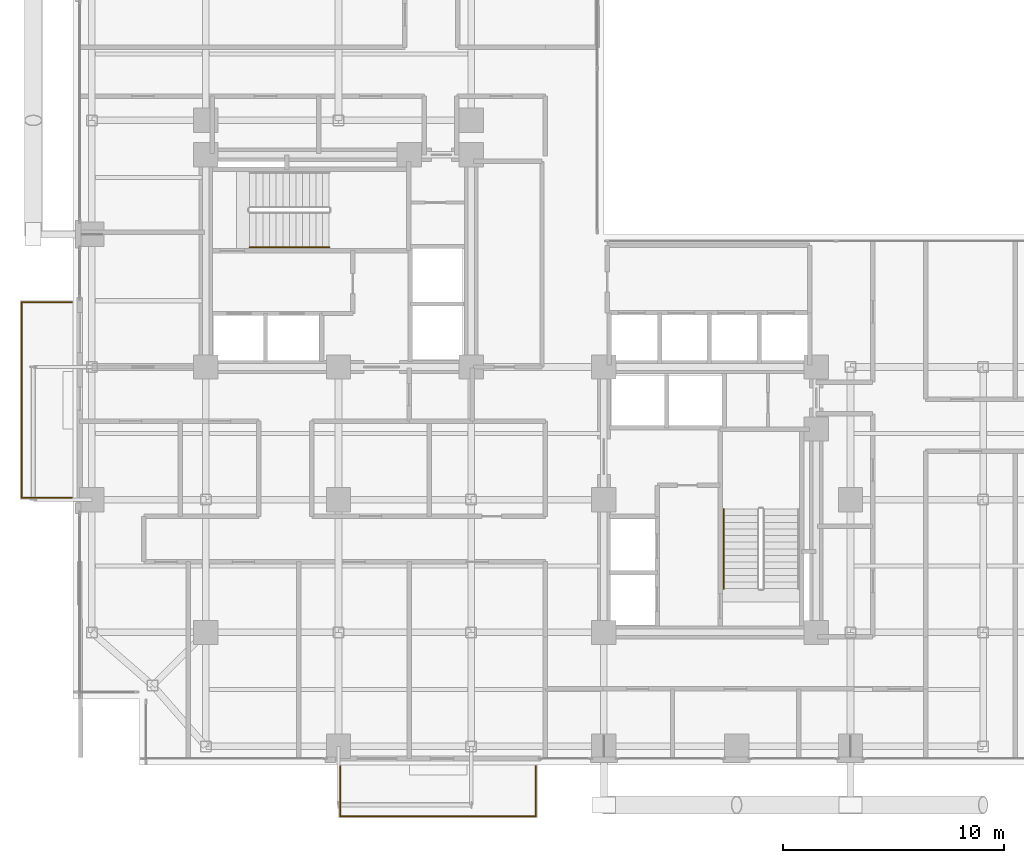
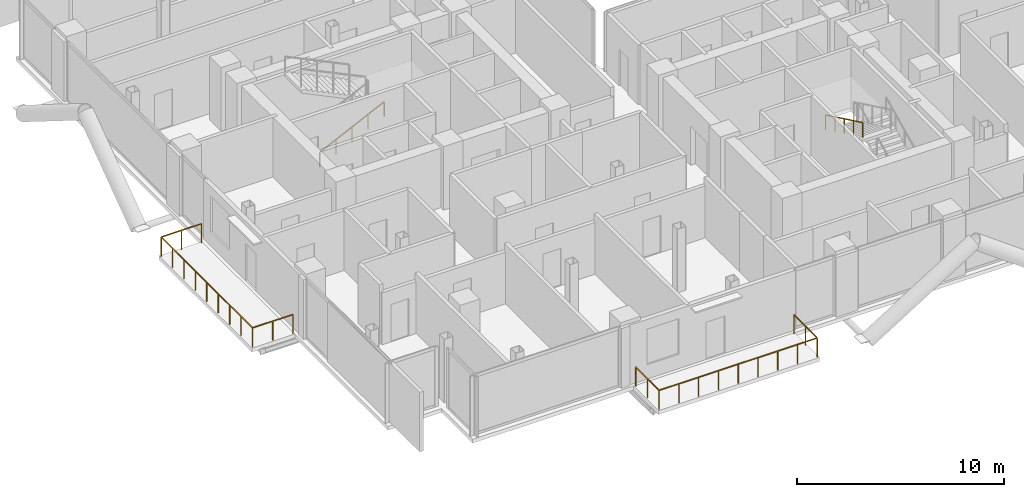
# One storey, part 23 of 24: 4 railings.
"""IFC4 building model written with IfcOpenShell, lengths in metres."""

import ifcopenshell
import ifcopenshell.guid

model = None  # the IFC model being written
_history = None  # IfcOwnerHistory: only IFC2X3 demands one
_inside = {}  # id of a spatial element -> (the spatial element, [elements in it])
_under = {}  # id of a project, library or spatial element -> (it, [spatial elements below it])
_declared = {}  # id of a project -> (the project, [libraries it declares])
_typed = {}  # id of a type object -> (the type object, [elements of that type])
_made_of = {}  # id of a material, layer set ... -> (it, [elements and type objects made of it])


def new_model(schema):
    """Start an empty IFC model of exactly this schema.

    Asked for "IFC4X3", IfcOpenShell would pick the latest addendum, in which some entities
    have other attributes; the version numbers below select the first issue.
    IFC2X3 requires an IfcOwnerHistory on every rooted entity: one is made here for all.
    """
    global model, _history
    if schema == "IFC4X3":
        model = ifcopenshell.file(schema_version=(4, 3, 0, 0))
    else:
        model = ifcopenshell.file(schema=schema)
    _inside.clear()
    _under.clear()
    _declared.clear()
    _typed.clear()
    _made_of.clear()
    _history = None
    if model.schema == "IFC2X3":
        org = make("IfcOrganization", Name="unknown")
        user = make(
            "IfcPersonAndOrganization",
            ThePerson=make("IfcPerson", FamilyName="unknown"),
            TheOrganization=org,
        )
        app = make(
            "IfcApplication",
            ApplicationDeveloper=org,
            Version="unknown",
            ApplicationFullName="unknown",
            ApplicationIdentifier="unknown",
        )
        _history = make(
            "IfcOwnerHistory",
            OwningUser=user,
            OwningApplication=app,
            ChangeAction="ADDED",
            CreationDate=0,
        )
    return model


def make(cls, **values):
    """One entity of the class cls with the attributes given. An attribute that is None is left unset."""
    return model.create_entity(
        cls, **{name: value for name, value in values.items() if value is not None}
    )


def rooted(cls, **values):
    """An entity with a GlobalId (a new one), such as an element, a storey or a relation."""
    return make(cls, GlobalId=ifcopenshell.guid.new(), OwnerHistory=_history, **values)


def si_unit(unit_type, name, prefix=None):
    """IfcSIUnit, for example si_unit("LENGTHUNIT", "METRE", prefix="MILLI")."""
    return make("IfcSIUnit", UnitType=unit_type, Prefix=prefix, Name=name)


def assignment(units):
    """IfcUnitAssignment: the units of a project."""
    return None if units is None else make("IfcUnitAssignment", Units=units)


def point(xyz):
    """IfcCartesianPoint."""
    return None if xyz is None else make("IfcCartesianPoint", Coordinates=xyz)


def direction(xyz):
    """IfcDirection."""
    return None if xyz is None else make("IfcDirection", DirectionRatios=xyz)


def frame(location, z_axis=None, x_axis=None):
    """IfcAxis2Placement3D, a coordinate frame: its origin and axes. An axis left out is left unset."""
    return make(
        "IfcAxis2Placement3D",
        Location=point(location),
        Axis=direction(z_axis),
        RefDirection=direction(x_axis),
    )


def frame_2d(location, x_axis=None):
    """IfcAxis2Placement2D, a coordinate frame in the plane: its origin and x axis."""
    return make(
        "IfcAxis2Placement2D", Location=point(location), RefDirection=direction(x_axis)
    )


def origin():
    """The frame at (0, 0, 0) with its axes left unset."""
    return frame((0.0, 0.0, 0.0))


def origin_2d():
    """The frame at (0, 0) in the plane with its x axis left unset."""
    return frame_2d((0.0, 0.0))


def place(relative_to, where):
    """IfcLocalPlacement: puts the frame where relative to a parent placement (None: the world)."""
    return make(
        "IfcLocalPlacement", PlacementRelTo=relative_to, RelativePlacement=where
    )


def context(
    kind, dimensions, precision=None, world=None, true_north=None, identifier=None
):
    """IfcGeometricRepresentationContext, for example the 3D "Model" context."""
    return make(
        "IfcGeometricRepresentationContext",
        ContextIdentifier=identifier,
        ContextType=kind,
        CoordinateSpaceDimension=dimensions,
        Precision=precision,
        WorldCoordinateSystem=world,
        TrueNorth=true_north,
    )


def subcontext(parent, identifier, kind, view, scale=None):
    """IfcGeometricRepresentationSubContext, for example "Body" below "Model"."""
    return make(
        "IfcGeometricRepresentationSubContext",
        ContextIdentifier=identifier,
        ContextType=kind,
        ParentContext=parent,
        TargetScale=scale,
        TargetView=view,
    )


def project(units=None, contexts=None):
    """IfcProject with its units and contexts."""
    return rooted(
        "IfcProject",
        Name="project",
        RepresentationContexts=contexts,
        UnitsInContext=assignment(units),
    )


def spatial(cls, under=None, at=None, **own):
    """A site, building, storey or space (cls), placed at a placement, below another one or the project."""
    s = rooted(cls, ObjectPlacement=at, **own)
    if under is not None:
        _under.setdefault(under.id(), (under, []))[1].append(s)
    return s


def profile(cls, at=None, kind="AREA", **sizes):
    """A parametric profile (cls). Its sizes go by their IFC names, for example OverallWidth=200.0."""
    return make(cls, ProfileType=kind, Position=at, **sizes)


def rectangle(**sizes):
    """IfcRectangleProfileDef."""
    return profile("IfcRectangleProfileDef", **sizes)


def extrude(swept, where, along, depth):
    """IfcExtrudedAreaSolid: the profile swept, set in the frame where, extruded along a direction by depth."""
    return make(
        "IfcExtrudedAreaSolid",
        SweptArea=swept,
        Position=where,
        ExtrudedDirection=direction(along),
        Depth=depth,
    )


def shape(context_of_items, identifier, shape_type, items):
    """IfcShapeRepresentation: the items that make up one representation, for example the "Body"."""
    return make(
        "IfcShapeRepresentation",
        ContextOfItems=context_of_items,
        RepresentationIdentifier=identifier,
        RepresentationType=shape_type,
        Items=items,
    )


def material(Name=None, Category=None):
    """IfcMaterial."""
    return make("IfcMaterial", Name=Name, Category=Category)


def made_of(thing, what):
    """Note that an element or type object is made of a material, layer set ...; save() writes the relation."""
    if what is not None:
        _made_of.setdefault(what.id(), (what, []))[1].append(thing)
    return thing


def type_object(cls, material=None, **own):
    """A type object (cls), such as IfcWallType, which elements share."""
    return made_of(rooted(cls, **own), material)


def element(
    cls,
    number,
    at=None,
    inside=None,
    cuts=None,
    type_object=None,
    material=None,
    context=None,
    identifier="Body",
    shape_type=None,
    held_by="IfcProductDefinitionShape",
    body=None,
    shapes=None,
    **own,
):
    """One element of the class cls, such as IfcWall. Its Tag is "e" and its number.

    at: its placement. inside: the storey or other place that contains it. cuts: it is an
    opening in that element (IfcRelVoidsElement). A single representation is given by context,
    identifier, shape_type and body (its items); several are given by shapes. held_by: the class
    of the entity that holds the representations. save() writes the other relations.
    """
    e = rooted(cls, Tag="e%d" % number, ObjectPlacement=at, **own)
    if body is not None:
        shapes = [shape(context, identifier, shape_type, body)]
    if shapes is not None:
        e.Representation = make(held_by, Representations=shapes)
    if inside is not None:
        _inside.setdefault(inside.id(), (inside, []))[1].append(e)
    if cuts is not None:
        rooted(
            "IfcRelVoidsElement", RelatingBuildingElement=cuts, RelatedOpeningElement=e
        )
    if type_object is not None:
        _typed.setdefault(type_object.id(), (type_object, []))[1].append(e)
    return made_of(e, material)


def aggregate(whole, parts):
    """IfcRelAggregates: a whole, such as a stair, and the parts it consists of."""
    return rooted("IfcRelAggregates", RelatingObject=whole, RelatedObjects=parts)


def save(model, path):
    """Write the relations noted so far, then the file.

    IfcRelAggregates (storeys below a building ...), IfcRelContainedInSpatialStructure (elements
    in a storey), IfcRelDefinesByType, IfcRelAssociatesMaterial and IfcRelDeclares: one each for
    every whole, place, type object, material and project.
    """
    for whole, parts in _under.values():
        aggregate(whole, parts)
    for where, things in _inside.values():
        rooted(
            "IfcRelContainedInSpatialStructure",
            RelatedElements=things,
            RelatingStructure=where,
        )
    for kind, things in _typed.values():
        rooted("IfcRelDefinesByType", RelatedObjects=things, RelatingType=kind)
    for what, things in _made_of.values():
        rooted("IfcRelAssociatesMaterial", RelatedObjects=things, RelatingMaterial=what)
    for by, libraries in _declared.values():
        rooted("IfcRelDeclares", RelatingContext=by, RelatedDefinitions=libraries)
    model.write(path)


model = new_model("IFC4")

# Units and contexts
model_context = context("Model", 3, precision=1e-05, world=origin(), true_north=direction((0.0, 1.0)))
body_context = subcontext(model_context, "Body", "Model", "MODEL_VIEW")
ifc_project = project(units=[si_unit("LENGTHUNIT", "METRE"), si_unit("AREAUNIT", "SQUARE_METRE"), si_unit("VOLUMEUNIT", "CUBIC_METRE"), si_unit("PLANEANGLEUNIT", "RADIAN"), si_unit("MASSUNIT", "GRAM", prefix="KILO"), si_unit("THERMODYNAMICTEMPERATUREUNIT", "KELVIN"), si_unit("POWERUNIT", "WATT")], contexts=[model_context])

# Site, building, storey
site_placement = place(None, origin())
site = spatial("IfcSite", under=ifc_project, at=site_placement, CompositionType="ELEMENT")
building_placement = place(site_placement, origin())
building = spatial("IfcBuilding", under=site, at=building_placement, Name="Svarakhadi Broadcast Tower", CompositionType="ELEMENT")
storey_placement = place(building_placement, frame((0.0, 0.0, 115.64990234375)))
storey = spatial("IfcBuildingStorey", under=building, at=storey_placement, Name="L27", CompositionType="ELEMENT", Elevation=115.64990234375)

# Railings
ifc_material_1 = material(Name="Laminated Structural SentryGlas Balustrade 25.5 mm", Category="glass")
railing_type_1 = type_object("IfcRailingType", Name="Guard_Balcony_GR01", PredefinedType="BALUSTRADE", material=ifc_material_1)
railing_1_placement = place(storey_placement, frame((12.080078125, -0.06005859375, 0.0)))
element("IfcRailing", 1, at=railing_1_placement, inside=storey, type_object=railing_type_1, Name="L27 South Tree Balcony Guard GR-05", PredefinedType="BALUSTRADE", context=body_context, shape_type="SweptSolid", body=[
    extrude(rectangle(XDim=0.048095703125, YDim=0.048095703125, at=origin_2d()), frame((0.0, 0.0, 1.1259765625), z_axis=(0.0, -1.0, 0.0), x_axis=(1.0, 0.0, 0.0)), (0.0, 0.0, 1.0), 2.260009765625),
    extrude(rectangle(XDim=0.048095703125, YDim=0.048095703125, at=origin_2d()), frame((0.0, -2.260009765625, 1.1259765625), z_axis=(1.0, 0.0, 0.0), x_axis=(0.0, 1.0, 0.0)), (0.0, 0.0, 1.0), 8.83984375),
    extrude(rectangle(XDim=0.048095703125, YDim=0.048095703125, at=origin_2d()), frame((8.83984375, -2.260009765625, 1.1259765625), z_axis=(0.0, 1.0, 0.0), x_axis=(-1.0, 0.0, 0.0)), (0.0, 0.0, 1.0), 2.260009765625),
    extrude(rectangle(XDim=0.0419921875, YDim=0.0419921875, at=origin_2d()), origin(), (0.0, 0.0, 1.0), 1.101806640625),
    extrude(rectangle(XDim=0.0419921875, YDim=0.0419921875, at=origin_2d()), frame((0.0, -1.1298828125, 0.0)), (0.0, 0.0, 1.0), 1.101806640625),
    extrude(rectangle(XDim=0.0419921875, YDim=0.0419921875, at=origin_2d()), frame((0.0, -2.260009765625, 0.0)), (0.0, 0.0, 1.0), 1.101806640625),
    extrude(rectangle(XDim=0.0419921875, YDim=0.0419921875, at=origin_2d()), frame((1.10498046875, -2.260009765625, 0.0)), (0.0, 0.0, 1.0), 1.101806640625),
    extrude(rectangle(XDim=0.0419921875, YDim=0.0419921875, at=origin_2d()), frame((2.2099609375, -2.260009765625, 0.0)), (0.0, 0.0, 1.0), 1.101806640625),
    extrude(rectangle(XDim=0.0419921875, YDim=0.0419921875, at=origin_2d()), frame((3.31494140625, -2.260009765625, 0.0)), (0.0, 0.0, 1.0), 1.101806640625),
    extrude(rectangle(XDim=0.0419921875, YDim=0.0419921875, at=origin_2d()), frame((4.419921875, -2.260009765625, 0.0)), (0.0, 0.0, 1.0), 1.101806640625),
    extrude(rectangle(XDim=0.0419921875, YDim=0.0419921875, at=origin_2d()), frame((5.52490234375, -2.260009765625, 0.0)), (0.0, 0.0, 1.0), 1.101806640625),
    extrude(rectangle(XDim=0.0419921875, YDim=0.0419921875, at=origin_2d()), frame((6.6298828125, -2.260009765625, 0.0)), (0.0, 0.0, 1.0), 1.101806640625),
    extrude(rectangle(XDim=0.0419921875, YDim=0.0419921875, at=origin_2d()), frame((7.73486328125, -2.260009765625, 0.0)), (0.0, 0.0, 1.0), 1.101806640625),
    extrude(rectangle(XDim=0.0419921875, YDim=0.0419921875, at=origin_2d()), frame((8.83984375, -2.260009765625, 0.0)), (0.0, 0.0, 1.0), 1.101806640625),
    extrude(rectangle(XDim=0.0419921875, YDim=0.0419921875, at=origin_2d()), frame((8.83984375, -1.1298828125, 0.0)), (0.0, 0.0, 1.0), 1.101806640625),
    extrude(rectangle(XDim=0.0419921875, YDim=0.0419921875, at=origin_2d()), frame((8.83984375, 0.0, 0.0)), (0.0, 0.0, 1.0), 1.101806640625),
])
railing_2_placement = place(storey_placement, frame((-0.06005859375, 12.080078125, 0.0)))
element("IfcRailing", 2, at=railing_2_placement, inside=storey, type_object=railing_type_1, Name="L27 West Tree Balcony Guard GR-05", PredefinedType="BALUSTRADE", context=body_context, shape_type="SweptSolid", body=[
    extrude(rectangle(XDim=0.048095703125, YDim=0.048095703125, at=origin_2d()), frame((0.0, 0.0, 1.1259765625), z_axis=(-1.0, 0.0, 0.0), x_axis=(0.0, -1.0, 0.0)), (0.0, 0.0, 1.0), 2.260009765625),
    extrude(rectangle(XDim=0.048095703125, YDim=0.048095703125, at=origin_2d()), frame((-2.260009765625, 0.0, 1.1259765625), z_axis=(0.0, 1.0, 0.0), x_axis=(-1.0, 0.0, 0.0)), (0.0, 0.0, 1.0), 8.83984375),
    extrude(rectangle(XDim=0.048095703125, YDim=0.048095703125, at=origin_2d()), frame((-2.260009765625, 8.83984375, 1.1259765625), z_axis=(1.0, 0.0, 0.0), x_axis=(0.0, 1.0, 0.0)), (0.0, 0.0, 1.0), 2.260009765625),
    extrude(rectangle(XDim=0.0419921875, YDim=0.0419921875, at=origin_2d()), origin(), (0.0, 0.0, 1.0), 1.101806640625),
    extrude(rectangle(XDim=0.0419921875, YDim=0.0419921875, at=origin_2d()), frame((-1.1298828125, 0.0, 0.0)), (0.0, 0.0, 1.0), 1.101806640625),
    extrude(rectangle(XDim=0.0419921875, YDim=0.0419921875, at=origin_2d()), frame((-2.260009765625, 0.0, 0.0)), (0.0, 0.0, 1.0), 1.101806640625),
    extrude(rectangle(XDim=0.0419921875, YDim=0.0419921875, at=origin_2d()), frame((-2.260009765625, 1.10498046875, 0.0)), (0.0, 0.0, 1.0), 1.101806640625),
    extrude(rectangle(XDim=0.0419921875, YDim=0.0419921875, at=origin_2d()), frame((-2.260009765625, 2.2099609375, 0.0)), (0.0, 0.0, 1.0), 1.101806640625),
    extrude(rectangle(XDim=0.0419921875, YDim=0.0419921875, at=origin_2d()), frame((-2.260009765625, 3.31494140625, 0.0)), (0.0, 0.0, 1.0), 1.101806640625),
    extrude(rectangle(XDim=0.0419921875, YDim=0.0419921875, at=origin_2d()), frame((-2.260009765625, 4.419921875, 0.0)), (0.0, 0.0, 1.0), 1.101806640625),
    extrude(rectangle(XDim=0.0419921875, YDim=0.0419921875, at=origin_2d()), frame((-2.260009765625, 5.52490234375, 0.0)), (0.0, 0.0, 1.0), 1.101806640625),
    extrude(rectangle(XDim=0.0419921875, YDim=0.0419921875, at=origin_2d()), frame((-2.260009765625, 6.6298828125, 0.0)), (0.0, 0.0, 1.0), 1.101806640625),
    extrude(rectangle(XDim=0.0419921875, YDim=0.0419921875, at=origin_2d()), frame((-2.260009765625, 7.73486328125, 0.0)), (0.0, 0.0, 1.0), 1.101806640625),
    extrude(rectangle(XDim=0.0419921875, YDim=0.0419921875, at=origin_2d()), frame((-2.260009765625, 8.83984375, 0.0)), (0.0, 0.0, 1.0), 1.101806640625),
    extrude(rectangle(XDim=0.0419921875, YDim=0.0419921875, at=origin_2d()), frame((-1.1298828125, 8.83984375, 0.0)), (0.0, 0.0, 1.0), 1.101806640625),
    extrude(rectangle(XDim=0.0419921875, YDim=0.0419921875, at=origin_2d()), frame((0.0, 8.83984375, 0.0)), (0.0, 0.0, 1.0), 1.101806640625),
])
ifc_material_2 = material(Name="Anodised Bronze Aluminium AA 6063-T6", Category="aluminium")
railing_type_2 = type_object("IfcRailingType", Name="Handrail_Stair_HR01", PredefinedType="HANDRAIL", material=ifc_material_2)
railing_3_placement = place(storey_placement, frame((7.97998046875, 23.409912109375, 0.144287109375)))
element("IfcRailing", 3, at=railing_3_placement, inside=storey, type_object=railing_type_2, Name="L27 ST-01 stair handrail 1", PredefinedType="HANDRAIL", context=body_context, shape_type="SweptSolid", body=[
    extrude(rectangle(XDim=0.048095703125, YDim=0.048095703125, at=origin_2d()), frame((0.0, 0.0, 0.8759765625), z_axis=(0.901262522062, 0.0, 0.433273431364), x_axis=(0.0, 1.0, 0.0)), (0.0, 0.0, 1.0), 3.994384765625),
    extrude(rectangle(XDim=0.0419921875, YDim=0.0419921875, at=origin_2d()), origin(), (0.0, 0.0, 1.0), 0.851806640625),
    extrude(rectangle(XDim=0.0419921875, YDim=0.0419921875, at=origin_2d()), frame((0.89990234375, 0.0, 0.4326171875)), (0.0, 0.0, 1.0), 0.851806640625),
    extrude(rectangle(XDim=0.0419921875, YDim=0.0419921875, at=origin_2d()), frame((1.800048828125, 0.0, 0.865234375)), (0.0, 0.0, 1.0), 0.851806640625),
    extrude(rectangle(XDim=0.0419921875, YDim=0.0419921875, at=origin_2d()), frame((2.7001953125, 0.0, 1.298095703125)), (0.0, 0.0, 1.0), 0.851806640625),
    extrude(rectangle(XDim=0.0419921875, YDim=0.0419921875, at=origin_2d()), frame((3.60009765625, 0.0, 1.730712890625)), (0.0, 0.0, 1.0), 0.851806640625),
])
railing_4_placement = place(storey_placement, frame((29.409912109375, 11.580078125, 2.019287109375)))
element("IfcRailing", 4, at=railing_4_placement, inside=storey, type_object=railing_type_2, Name="L27 ST-02 stair handrail 2", PredefinedType="HANDRAIL", context=body_context, shape_type="SweptSolid", body=[
    extrude(rectangle(XDim=0.048095703125, YDim=0.048095703125, at=origin_2d()), frame((0.0, 0.0, 0.8759765625), z_axis=(0.0, -0.901262522062, 0.433273431364), x_axis=(1.0, 0.0, 0.0)), (0.0, 0.0, 1.0), 3.994384765625),
    extrude(rectangle(XDim=0.0419921875, YDim=0.0419921875, at=origin_2d()), origin(), (0.0, 0.0, 1.0), 0.851806640625),
    extrude(rectangle(XDim=0.0419921875, YDim=0.0419921875, at=origin_2d()), frame((0.0, -0.89990234375, 0.4326171875)), (0.0, 0.0, 1.0), 0.851806640625),
    extrude(rectangle(XDim=0.0419921875, YDim=0.0419921875, at=origin_2d()), frame((0.0, -1.800048828125, 0.865234375)), (0.0, 0.0, 1.0), 0.851806640625),
    extrude(rectangle(XDim=0.0419921875, YDim=0.0419921875, at=origin_2d()), frame((0.0, -2.7001953125, 1.298095703125)), (0.0, 0.0, 1.0), 0.851806640625),
    extrude(rectangle(XDim=0.0419921875, YDim=0.0419921875, at=origin_2d()), frame((0.0, -3.60009765625, 1.730712890625)), (0.0, 0.0, 1.0), 0.851806640625),
])

save(model, "model.ifc")
